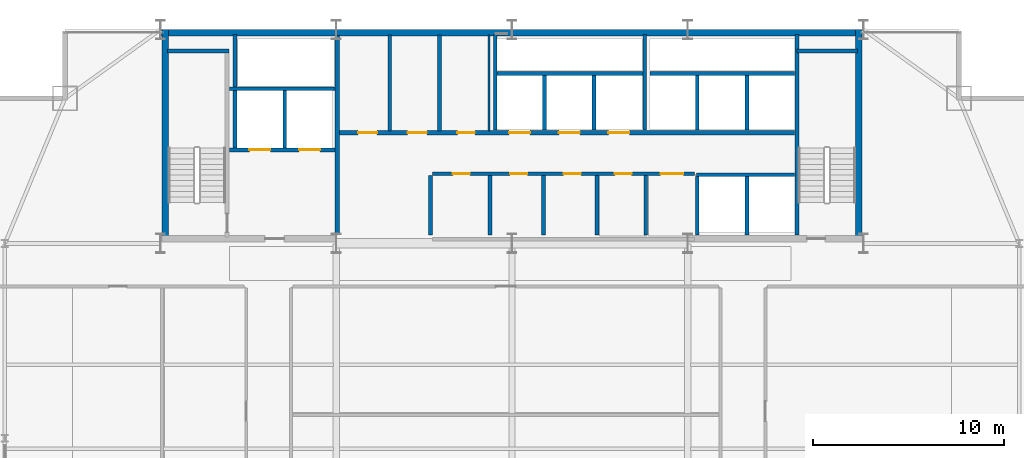
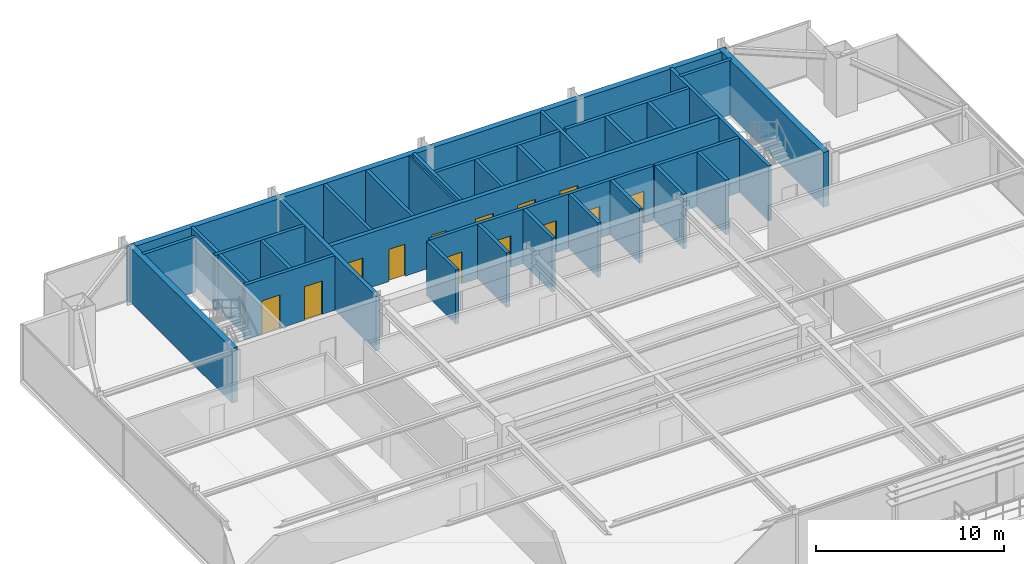
# One storey, part 28 of 31: 32 walls, 13 doors, 13 openings.
"""IFC4 building model written with IfcOpenShell, lengths in metres."""

from ifc_helpers import new_model, si_unit, direction, frame, frame_2d, origin, place, context, subcontext, project, spatial, rectangle, extrude, source, transform, mapped, material, layer, layer_set, type_object, type_shapes, element, fill, save


model = new_model("IFC4")

# Units and contexts
model_context = context("Model", 3, precision=1e-05, world=origin(), true_north=direction((0.0, 1.0)))
body_context = subcontext(model_context, "Body", "Model", "MODEL_VIEW")
ifc_project = project(units=[si_unit("LENGTHUNIT", "METRE"), si_unit("AREAUNIT", "SQUARE_METRE"), si_unit("VOLUMEUNIT", "CUBIC_METRE"), si_unit("PLANEANGLEUNIT", "RADIAN"), si_unit("MASSUNIT", "GRAM", prefix="KILO")], contexts=[model_context])

# Site, building, storey
site_placement = place(None, origin())
site = spatial("IfcSite", under=ifc_project, at=site_placement, CompositionType="ELEMENT")
building_placement = place(site_placement, origin())
building = spatial("IfcBuilding", under=site, at=building_placement, Name="Varnel Quay Broadcast Tower", CompositionType="ELEMENT")
storey_placement = place(building_placement, frame((0.0, 0.0, 153.39990234375)))
storey = spatial("IfcBuildingStorey", under=building, at=storey_placement, Name="L37", CompositionType="ELEMENT", Elevation=153.39990234375)

# Wall
ifc_material_1 = material(Name="Concrete CSA A23.3 C50/60", Category="concrete")
ifc_layer_1 = layer(ifc_material_1, 0.199951171875, Name="Concrete CSA A23.3 C50/60")
ifc_layer_set_1 = layer_set([ifc_layer_1], Name="Concrete CSA A23.3 C50/60")
wall_type_1 = type_object("IfcWallType", Name="Wall_CoreShaftShear200", PredefinedType="SHEAR", material=ifc_layer_set_1)
wall_1_placement = place(storey_placement, frame((15.949951171875, 45.679931640625, 0.0), z_axis=(0.0, 0.0, 1.0), x_axis=(1.0, 0.0, 0.0)))
element("IfcWall", 1, at=wall_1_placement, inside=storey, type_object=wall_type_1, Name="L37 Stair 1 North Structural Wall", PredefinedType="SHEAR", context=body_context, shape_type="SweptSolid", body=[
    extrude(rectangle(XDim=3.22998046875, YDim=0.199951171875, at=frame_2d((1.614990234375, 0.0))), origin(), (0.0, 0.0, 1.0), 3.550048828125),
])

# Wall, openings, doors
wall_2_placement = place(storey_placement, frame((19.199951171875, 40.5, 0.0), z_axis=(0.0, 0.0, 1.0), x_axis=(1.0, 0.0, 0.0)))
wall_2 = element("IfcWall", 2, at=wall_2_placement, inside=storey, type_object=wall_type_1, Name="L37 Firefighter Lift Shaft Front Wall", PredefinedType="SHEAR", context=body_context, shape_type="SweptSolid", body=[
    extrude(rectangle(XDim=5.52001953125, YDim=0.199951171875, at=frame_2d((2.760009765625, 0.0))), origin(), (0.0, 0.0, 1.0), 3.550048828125),
])
opening_1_placement = place(wall_2_placement, frame((1.050048828125, 0.0, 0.0)))
opening_1 = element("IfcOpeningElement", 3, at=opening_1_placement, cuts=wall_2, Name="Opening LD-L37-FE1", PredefinedType="OPENING", context=body_context, shape_type="SweptSolid", body=[
    extrude(rectangle(XDim=1.10009765625, YDim=2.179931640625, at=frame_2d((0.550048828125, 1.08984375))), frame((0.0, 0.10986328125, 0.0), z_axis=(0.0, -1.0, 0.0), x_axis=(1.0, 0.0, 0.0)), (0.0, 0.0, 1.0), 0.219970703125),
])
opening_2_placement = place(wall_2_placement, frame((3.64990234375, 0.0, 0.0)))
opening_2 = element("IfcOpeningElement", 4, at=opening_2_placement, cuts=wall_2, Name="Opening LD-L37-FE2", PredefinedType="OPENING", context=body_context, shape_type="SweptSolid", body=[
    extrude(rectangle(XDim=1.10009765625, YDim=2.179931640625, at=frame_2d((0.550048828125, 1.08984375))), frame((0.0, 0.10986328125, 0.0), z_axis=(0.0, -1.0, 0.0), x_axis=(1.0, 0.0, 0.0)), (0.0, 0.0, 1.0), 0.219970703125),
])
ifc_material_2 = material(Name="Brushed Bronze-Stainless Lift Car & Sliding Doors", Category="steel")
door_type_1 = type_object("IfcDoorType", Name="Door_LiftLanding1100", OperationType="SLIDING_TO_LEFT", PredefinedType="DOOR", material=ifc_material_2)
shared_shape_1 = source(origin(), body_context, "Body", "SweptSolid", [
    extrude(rectangle(XDim=1.10009765625, YDim=2.179931640625, at=frame_2d((0.550048828125, 1.08984375))), frame((0.0, 0.02490234375, 0.0), z_axis=(0.0, -1.0, 0.0), x_axis=(1.0, 0.0, 0.0)), (0.0, 0.0, 1.0), 0.050048828125),
])
type_shapes(door_type_1, [shared_shape_1])
door_1_placement = place(opening_1_placement, frame((1.10009765625, 0.0, 0.0), z_axis=(0.0, 0.0, 1.0), x_axis=(-1.0, 0.0, 0.0)))
door_1 = element("IfcDoor", 5, at=door_1_placement, inside=storey, type_object=door_type_1, Name="L37 Firefighter Lift FE-01 Landing Door", OperationType="SLIDING_TO_LEFT", OverallHeight=2.179931640625, OverallWidth=1.10009765625, PredefinedType="DOOR", context=body_context, shape_type="MappedRepresentation", body=[
    mapped(shared_shape_1, transform((0.0, 0.0, 0.0), x_axis=(1.0, 0.0, 0.0), y_axis=(0.0, 1.0, 0.0), z_axis=(0.0, 0.0, 1.0), scale=1.0)),
])
fill(opening_1, door_1)
door_2_placement = place(opening_2_placement, frame((1.10009765625, 0.0, 0.0), z_axis=(0.0, 0.0, 1.0), x_axis=(-1.0, 0.0, 0.0)))
door_2 = element("IfcDoor", 6, at=door_2_placement, inside=storey, type_object=door_type_1, Name="L37 Firefighter Lift FE-02 Landing Door", OperationType="SLIDING_TO_RIGHT", OverallHeight=2.179931640625, OverallWidth=1.10009765625, PredefinedType="DOOR", context=body_context, shape_type="MappedRepresentation", body=[
    mapped(shared_shape_1, transform((0.0, 0.0, 0.0), x_axis=(1.0, 0.0, 0.0), y_axis=(0.0, 1.0, 0.0), z_axis=(0.0, 0.0, 1.0), scale=1.0)),
])
fill(opening_2, door_2)

# Walls
wall_3_placement = place(storey_placement, frame((19.199951171875, 43.699951171875, 0.0), z_axis=(0.0, 0.0, 1.0), x_axis=(1.0, 0.0, 0.0)))
element("IfcWall", 7, at=wall_3_placement, inside=storey, type_object=wall_type_1, Name="L37 Firefighter Lift Shaft Rear Wall", PredefinedType="SHEAR", context=body_context, shape_type="SweptSolid", body=[
    extrude(rectangle(XDim=5.52001953125, YDim=0.199951171875, at=frame_2d((2.760009765625, 0.0))), origin(), (0.0, 0.0, 1.0), 3.550048828125),
])
wall_4_placement = place(storey_placement, frame((22.10009765625, 40.60009765625, 0.0), z_axis=(0.0, 0.0, 1.0), x_axis=(0.0, 1.0, 0.0)))
element("IfcWall", 8, at=wall_4_placement, inside=storey, type_object=wall_type_1, Name="L37 Firefighter Lift Shaft Divider", PredefinedType="SHEAR", context=body_context, shape_type="SweptSolid", body=[
    extrude(rectangle(XDim=3.0, YDim=0.199951171875, at=frame_2d((1.5, 0.0))), origin(), (0.0, 0.0, 1.0), 3.550048828125),
])
wall_5_placement = place(storey_placement, frame((19.5, 40.60009765625, 0.0), z_axis=(0.0, 0.0, 1.0), x_axis=(0.0, 1.0, 0.0)))
element("IfcWall", 9, at=wall_5_placement, inside=storey, type_object=wall_type_1, Name="L37 Firefighter Lift Shaft West Wall", PredefinedType="SHEAR", context=body_context, shape_type="SweptSolid", body=[
    extrude(rectangle(XDim=5.949951171875, YDim=0.199951171875, at=frame_2d((2.97509765625, 0.0))), origin(), (0.0, 0.0, 1.0), 3.550048828125),
])
wall_6_placement = place(storey_placement, frame((48.919921875, 36.050048828125, 0.0), z_axis=(0.0, 0.0, 1.0), x_axis=(0.0, 1.0, 0.0)))
element("IfcWall", 10, at=wall_6_placement, inside=storey, type_object=wall_type_1, Name="L37 Stair 2 West Structural Wall", PredefinedType="SHEAR", context=body_context, shape_type="SweptSolid", body=[
    extrude(rectangle(XDim=10.5, YDim=0.199951171875, at=frame_2d((5.25, 0.0))), origin(), (0.0, 0.0, 1.0), 3.550048828125),
])
wall_7_placement = place(storey_placement, frame((48.919921875, 45.679931640625, 0.0), z_axis=(0.0, 0.0, 1.0), x_axis=(1.0, 0.0, 0.0)))
element("IfcWall", 11, at=wall_7_placement, inside=storey, type_object=wall_type_1, Name="L37 Stair 2 North Structural Wall", PredefinedType="SHEAR", context=body_context, shape_type="SweptSolid", body=[
    extrude(rectangle(XDim=3.18017578125, YDim=0.199951171875, at=frame_2d((1.590087890625, 0.0))), origin(), (0.0, 0.0, 1.0), 3.550048828125),
])
wall_8_placement = place(storey_placement, frame((33.219970703125, 44.5, 0.0), z_axis=(0.0, 0.0, 1.0), x_axis=(1.0, 0.0, 0.0)))
element("IfcWall", 12, at=wall_8_placement, inside=storey, type_object=wall_type_1, Name="L37 Mid-Rise Lift Shaft Rear Wall", PredefinedType="SHEAR", context=body_context, shape_type="SweptSolid", body=[
    extrude(rectangle(XDim=7.630126953125, YDim=0.199951171875, at=frame_2d((3.81494140625, 0.0))), origin(), (0.0, 0.0, 1.0), 3.550048828125),
])
wall_9_placement = place(storey_placement, frame((33.1201171875, 41.530029296875, 0.0), z_axis=(0.0, 0.0, 1.0), x_axis=(0.0, 1.0, 0.0)))
element("IfcWall", 13, at=wall_9_placement, inside=storey, type_object=wall_type_1, Name="L37 Mid-Rise Lift Shaft Divider 1", PredefinedType="SHEAR", context=body_context, shape_type="SweptSolid", body=[
    extrude(rectangle(XDim=5.02001953125, YDim=0.199951171875, at=frame_2d((2.510009765625, 0.0))), origin(), (0.0, 0.0, 1.0), 3.550048828125),
])
for number, where, z_axis, x_axis, name in (
    (14, (35.699951171875, 41.530029296875, 0.0), (0.0, 0.0, 1.0), (0.0, 1.0, 0.0), "L37 Mid-Rise Lift Shaft Divider 2"),
    (15, (38.300048828125, 41.530029296875, 0.0), (0.0, 0.0, 1.0), (0.0, 1.0, 0.0), "L37 Mid-Rise Lift Shaft Divider 3"),
):
    element("IfcWall", number, at=place(storey_placement, frame(where, z_axis=z_axis, x_axis=x_axis)), inside=storey, type_object=wall_type_1, Name=name, PredefinedType="SHEAR", context=body_context, shape_type="SweptSolid", body=[
        extrude(rectangle(XDim=2.869873046875, YDim=0.199951171875, at=frame_2d((1.43505859375, 0.0))), origin(), (0.0, 0.0, 1.0), 3.550048828125),
    ])
wall_10_placement = place(storey_placement, frame((40.949951171875, 41.530029296875, 0.0), z_axis=(0.0, 0.0, 1.0), x_axis=(0.0, 1.0, 0.0)))
element("IfcWall", 16, at=wall_10_placement, inside=storey, type_object=wall_type_1, Name="L37 Mid-Rise Lift Shaft Divider 4", PredefinedType="SHEAR", context=body_context, shape_type="SweptSolid", body=[
    extrude(rectangle(XDim=5.02001953125, YDim=0.199951171875, at=frame_2d((2.510009765625, 0.0))), origin(), (0.0, 0.0, 1.0), 3.550048828125),
])
wall_11_placement = place(storey_placement, frame((41.219970703125, 44.5, 0.0), z_axis=(0.0, 0.0, 1.0), x_axis=(1.0, 0.0, 0.0)))
element("IfcWall", 17, at=wall_11_placement, inside=storey, type_object=wall_type_1, Name="L37 High-Rise Lift Shaft Rear Wall", PredefinedType="SHEAR", context=body_context, shape_type="SweptSolid", body=[
    extrude(rectangle(XDim=7.580078125, YDim=0.199951171875, at=frame_2d((3.7900390625, 0.0))), origin(), (0.0, 0.0, 1.0), 3.550048828125),
])
for number, where, z_axis, x_axis, name in (
    (18, (43.699951171875, 41.530029296875, 0.0), (0.0, 0.0, 1.0), (0.0, 1.0, 0.0), "L37 High-Rise Lift Shaft Divider 2"),
    (19, (46.300048828125, 41.530029296875, 0.0), (0.0, 0.0, 1.0), (0.0, 1.0, 0.0), "L37 High-Rise Lift Shaft Divider 3"),
):
    element("IfcWall", number, at=place(storey_placement, frame(where, z_axis=z_axis, x_axis=x_axis)), inside=storey, type_object=wall_type_1, Name=name, PredefinedType="SHEAR", context=body_context, shape_type="SweptSolid", body=[
        extrude(rectangle(XDim=2.869873046875, YDim=0.199951171875, at=frame_2d((1.43505859375, 0.0))), origin(), (0.0, 0.0, 1.0), 3.550048828125),
    ])
for number, where, z_axis, x_axis, name in (
    (20, (43.699951171875, 36.050048828125, 0.0), (0.0, 0.0, 1.0), (0.0, 1.0, 0.0), "L37 Express Lift Shaft West Wall"),
    (21, (46.300048828125, 36.050048828125, 0.0), (0.0, 0.0, 1.0), (0.0, 1.0, 0.0), "L37 Express Lift Shaft Divider"),
):
    element("IfcWall", number, at=place(storey_placement, frame(where, z_axis=z_axis, x_axis=x_axis)), inside=storey, type_object=wall_type_1, Name=name, PredefinedType="SHEAR", context=body_context, shape_type="SweptSolid", body=[
        extrude(rectangle(XDim=3.050048828125, YDim=0.199951171875, at=frame_2d((1.52490234375, 0.0))), origin(), (0.0, 0.0, 1.0), 3.550048828125),
    ])
wall_12_placement = place(storey_placement, frame((43.64990234375, 39.199951171875, 0.0), z_axis=(0.0, 0.0, 1.0), x_axis=(1.0, 0.0, 0.0)))
element("IfcWall", 22, at=wall_12_placement, inside=storey, type_object=wall_type_1, Name="L37 Express Lift Shaft North Front Wall", PredefinedType="SHEAR", context=body_context, shape_type="SweptSolid", body=[
    extrude(rectangle(XDim=5.150146484375, YDim=0.199951171875, at=frame_2d((2.5751953125, 0.0))), origin(), (0.0, 0.0, 1.0), 3.550048828125),
])
ifc_layer_2 = layer(ifc_material_1, 0.25, Name="Concrete CSA A23.3 C50/60")
ifc_layer_set_2 = layer_set([ifc_layer_2], Name="Concrete CSA A23.3 C50/60")
wall_type_2 = type_object("IfcWallType", Name="Wall_CoreShaftShear250", PredefinedType="SHEAR", material=ifc_layer_set_2)
wall_13_placement = place(storey_placement, frame((24.85009765625, 36.050048828125, 0.0), z_axis=(0.0, 0.0, 1.0), x_axis=(0.0, 1.0, 0.0)))
element("IfcWall", 23, at=wall_13_placement, inside=storey, type_object=wall_type_2, Name="L37 Firefighting Lobby East Structural Wall", PredefinedType="SHEAR", context=body_context, shape_type="SweptSolid", body=[
    extrude(rectangle(XDim=10.449951171875, YDim=0.25, at=frame_2d((5.22509765625, 0.0))), origin(), (0.0, 0.0, 1.0), 3.550048828125),
])

# Wall, openings, doors
wall_14_placement = place(storey_placement, frame((24.97998046875, 41.39990234375, 0.0), z_axis=(0.0, 0.0, 1.0), x_axis=(1.0, 0.0, 0.0)))
wall_14 = element("IfcWall", 24, at=wall_14_placement, inside=storey, type_object=wall_type_2, Name="L37 North Lift Bank & Reclaimed Suite Wall", PredefinedType="SHEAR", context=body_context, shape_type="SweptSolid", body=[
    extrude(rectangle(XDim=23.820068359375, YDim=0.25, at=frame_2d((11.91015625, 0.0))), origin(), (0.0, 0.0, 1.0), 3.550048828125),
])
opening_3_placement = place(wall_14_placement, frame((8.8701171875, 0.0, 0.0)))
opening_3 = element("IfcOpeningElement", 25, at=opening_3_placement, cuts=wall_14, Name="Opening LD-L37-PM-01", PredefinedType="OPENING", context=body_context, shape_type="SweptSolid", body=[
    extrude(rectangle(XDim=1.10009765625, YDim=2.179931640625, at=frame_2d((0.550048828125, 1.08984375))), frame((0.0, 0.135009765625, 0.0), z_axis=(0.0, -1.0, 0.0), x_axis=(1.0, 0.0, 0.0)), (0.0, 0.0, 1.0), 0.27001953125),
])
opening_4_placement = place(wall_14_placement, frame((11.469970703125, 0.0, 0.0)))
opening_4 = element("IfcOpeningElement", 26, at=opening_4_placement, cuts=wall_14, Name="Opening LD-L37-PM-02", PredefinedType="OPENING", context=body_context, shape_type="SweptSolid", body=[
    extrude(rectangle(XDim=1.10009765625, YDim=2.179931640625, at=frame_2d((0.550048828125, 1.08984375))), frame((0.0, 0.135009765625, 0.0), z_axis=(0.0, -1.0, 0.0), x_axis=(1.0, 0.0, 0.0)), (0.0, 0.0, 1.0), 0.27001953125),
])
opening_5_placement = place(wall_14_placement, frame((14.070068359375, 0.0, 0.0)))
opening_5 = element("IfcOpeningElement", 27, at=opening_5_placement, cuts=wall_14, Name="Opening LD-L37-PM-03", PredefinedType="OPENING", context=body_context, shape_type="SweptSolid", body=[
    extrude(rectangle(XDim=1.10009765625, YDim=2.179931640625, at=frame_2d((0.550048828125, 1.08984375))), frame((0.0, 0.135009765625, 0.0), z_axis=(0.0, -1.0, 0.0), x_axis=(1.0, 0.0, 0.0)), (0.0, 0.0, 1.0), 0.27001953125),
])
opening_6_placement = place(wall_14_placement, frame((0.9599609375, 0.0, 0.0)))
opening_6 = element("IfcOpeningElement", 28, at=opening_6_placement, cuts=wall_14, Name="Opening D-L37-RECA1", PredefinedType="OPENING", context=body_context, shape_type="SweptSolid", body=[
    extrude(rectangle(XDim=1.0, YDim=2.080078125, at=frame_2d((0.5, 1.0400390625))), frame((0.0, 0.135009765625, 0.0), z_axis=(0.0, -1.0, 0.0), x_axis=(1.0, 0.0, 0.0)), (0.0, 0.0, 1.0), 0.27001953125),
])
opening_7_placement = place(wall_14_placement, frame((3.56005859375, 0.0, 0.0)))
opening_7 = element("IfcOpeningElement", 29, at=opening_7_placement, cuts=wall_14, Name="Opening D-L37-RECA2", PredefinedType="OPENING", context=body_context, shape_type="SweptSolid", body=[
    extrude(rectangle(XDim=1.0, YDim=2.080078125, at=frame_2d((0.5, 1.0400390625))), frame((0.0, 0.135009765625, 0.0), z_axis=(0.0, -1.0, 0.0), x_axis=(1.0, 0.0, 0.0)), (0.0, 0.0, 1.0), 0.27001953125),
])
opening_8_placement = place(wall_14_placement, frame((6.159912109375, 0.0, 0.0)))
opening_8 = element("IfcOpeningElement", 30, at=opening_8_placement, cuts=wall_14, Name="Opening D-L37-RECA3", PredefinedType="OPENING", context=body_context, shape_type="SweptSolid", body=[
    extrude(rectangle(XDim=0.919921875, YDim=2.080078125, at=frame_2d((0.4599609375, 1.0400390625))), frame((0.0, 0.135009765625, 0.0), z_axis=(0.0, -1.0, 0.0), x_axis=(1.0, 0.0, 0.0)), (0.0, 0.0, 1.0), 0.27001953125),
])
door_3_placement = place(opening_3_placement, frame((1.10009765625, 0.0, 0.0), z_axis=(0.0, 0.0, 1.0), x_axis=(-1.0, 0.0, 0.0)))
door_3 = element("IfcDoor", 31, at=door_3_placement, inside=storey, type_object=door_type_1, Name="L37 Lift PM-01 Landing Door", OperationType="SLIDING_TO_LEFT", OverallHeight=2.179931640625, OverallWidth=1.10009765625, PredefinedType="DOOR", context=body_context, shape_type="MappedRepresentation", body=[
    mapped(shared_shape_1, transform((0.0, 0.0, 0.0), x_axis=(1.0, 0.0, 0.0), y_axis=(0.0, 1.0, 0.0), z_axis=(0.0, 0.0, 1.0), scale=1.0)),
])
fill(opening_3, door_3)
door_4_placement = place(opening_4_placement, frame((1.10009765625, 0.0, 0.0), z_axis=(0.0, 0.0, 1.0), x_axis=(-1.0, 0.0, 0.0)))
door_4 = element("IfcDoor", 32, at=door_4_placement, inside=storey, type_object=door_type_1, Name="L37 Lift PM-02 Landing Door", OperationType="SLIDING_TO_LEFT", OverallHeight=2.179931640625, OverallWidth=1.10009765625, PredefinedType="DOOR", context=body_context, shape_type="MappedRepresentation", body=[
    mapped(shared_shape_1, transform((0.0, 0.0, 0.0), x_axis=(1.0, 0.0, 0.0), y_axis=(0.0, 1.0, 0.0), z_axis=(0.0, 0.0, 1.0), scale=1.0)),
])
fill(opening_4, door_4)
door_5_placement = place(opening_5_placement, frame((1.10009765625, 0.0, 0.0), z_axis=(0.0, 0.0, 1.0), x_axis=(-1.0, 0.0, 0.0)))
door_5 = element("IfcDoor", 33, at=door_5_placement, inside=storey, type_object=door_type_1, Name="L37 Lift PM-03 Landing Door", OperationType="SLIDING_TO_LEFT", OverallHeight=2.179931640625, OverallWidth=1.10009765625, PredefinedType="DOOR", context=body_context, shape_type="MappedRepresentation", body=[
    mapped(shared_shape_1, transform((0.0, 0.0, 0.0), x_axis=(1.0, 0.0, 0.0), y_axis=(0.0, 1.0, 0.0), z_axis=(0.0, 0.0, 1.0), scale=1.0)),
])
fill(opening_5, door_5)
ifc_material_3 = material(Name="Insulated Fire-Rated Hollow Steel Door", Category="steel")
door_type_2 = type_object("IfcDoorType", Name="Door_FireLobby1000", OperationType="NOTDEFINED", PredefinedType="DOOR", material=ifc_material_3)
shared_shape_2 = source(origin(), body_context, "Body", "SweptSolid", [
    extrude(rectangle(XDim=1.0, YDim=2.080078125, at=frame_2d((0.5, 1.0400390625))), frame((0.0, 0.02490234375, 0.0), z_axis=(0.0, -1.0, 0.0), x_axis=(1.0, 0.0, 0.0)), (0.0, 0.0, 1.0), 0.050048828125),
])
type_shapes(door_type_2, [shared_shape_2])
door_6_placement = place(opening_6_placement, origin())
door_6 = element("IfcDoor", 34, at=door_6_placement, inside=storey, type_object=door_type_2, Name="L37 Ingest Rack Bay A Door", OperationType="SINGLE_SWING_LEFT", OverallHeight=2.080078125, OverallWidth=1.0, PredefinedType="DOOR", context=body_context, shape_type="MappedRepresentation", body=[
    mapped(shared_shape_2, transform((0.0, 0.0, 0.0), x_axis=(1.0, 0.0, 0.0), y_axis=(0.0, 1.0, 0.0), z_axis=(0.0, 0.0, 1.0), scale=1.0)),
])
fill(opening_6, door_6)
door_7_placement = place(opening_7_placement, origin())
door_7 = element("IfcDoor", 35, at=door_7_placement, inside=storey, type_object=door_type_2, Name="L37 Fiber Patch Bay Door", OperationType="SINGLE_SWING_RIGHT", OverallHeight=2.080078125, OverallWidth=1.0, PredefinedType="DOOR", context=body_context, shape_type="MappedRepresentation", body=[
    mapped(shared_shape_2, transform((0.0, 0.0, 0.0), x_axis=(1.0, 0.0, 0.0), y_axis=(0.0, 1.0, 0.0), z_axis=(0.0, 0.0, 1.0), scale=1.0)),
])
fill(opening_7, door_7)
ifc_material_4 = material(Name="Solid-Core Fire-Rated Acoustic Oak Veneer Door", Category="wood")
door_type_3 = type_object("IfcDoorType", Name="Door_Office920", OperationType="NOTDEFINED", PredefinedType="DOOR", material=ifc_material_4)
shared_shape_3 = source(origin(), body_context, "Body", "SweptSolid", [
    extrude(rectangle(XDim=0.919921875, YDim=2.080078125, at=frame_2d((0.4599609375, 1.0400390625))), frame((0.0, 0.02490234375, 0.0), z_axis=(0.0, -1.0, 0.0), x_axis=(1.0, 0.0, 0.0)), (0.0, 0.0, 1.0), 0.050048828125),
])
type_shapes(door_type_3, [shared_shape_3])
door_8_placement = place(opening_8_placement, origin())
door_8 = element("IfcDoor", 36, at=door_8_placement, inside=storey, type_object=door_type_3, Name="L37 Telemetry Store Door", OperationType="SINGLE_SWING_LEFT", OverallHeight=2.080078125, OverallWidth=0.919921875, PredefinedType="DOOR", context=body_context, shape_type="MappedRepresentation", body=[
    mapped(shared_shape_3, transform((0.0, 0.0, 0.0), x_axis=(1.0, 0.0, 0.0), y_axis=(0.0, 1.0, 0.0), z_axis=(0.0, 0.0, 1.0), scale=1.0)),
])
fill(opening_8, door_8)

# Walls
ifc_layer_3 = layer(ifc_material_1, 0.35009765625, Name="Concrete CSA A23.3 C50/60")
ifc_layer_set_3 = layer_set([ifc_layer_3], Name="Concrete CSA A23.3 C50/60")
wall_type_3 = type_object("IfcWallType", Name="Wall_CoreShearExt350", PredefinedType="SHEAR", material=ifc_layer_set_3)
wall_15_placement = place(storey_placement, frame((15.60009765625, 46.625, 0.0), z_axis=(0.0, 0.0, 1.0), x_axis=(1.0, 0.0, 0.0)))
element("IfcWall", 37, at=wall_15_placement, inside=storey, type_object=wall_type_3, Name="L37 North Core Shear Wall", PredefinedType="SHEAR", context=body_context, shape_type="SweptSolid", body=[
    extrude(rectangle(XDim=36.7998046875, YDim=0.35009765625, at=frame_2d((18.39990234375, 0.0))), origin(), (0.0, 0.0, 1.0), 3.550048828125),
])
ifc_layer_4 = layer(ifc_material_1, 0.35009765625, Name="Concrete CSA A23.3 C50/60")
ifc_layer_set_4 = layer_set([ifc_layer_4], Name="Concrete CSA A23.3 C50/60")
wall_type_4 = type_object("IfcWallType", Name="Wall_CoreShearInt350", PredefinedType="SHEAR", material=ifc_layer_set_4)
for number, where, z_axis, x_axis, name in (
    (38, (15.844970703125, 35.669921875, 0.0), (0.0, 0.0, 1.0), (0.0, 1.0, 0.0), "L37 West Core Shear Wall"),
    (39, (52.155029296875, 35.669921875, 0.0), (0.0, 0.0, 1.0), (0.0, 1.0, 0.0), "L37 East Core Shear Wall"),
):
    element("IfcWall", number, at=place(storey_placement, frame(where, z_axis=z_axis, x_axis=x_axis)), inside=storey, type_object=wall_type_4, Name=name, PredefinedType="SHEAR", context=body_context, shape_type="SweptSolid", body=[
        extrude(rectangle(XDim=11.130126953125, YDim=0.35009765625, at=frame_2d((5.56494140625, 0.0))), origin(), (0.0, 0.0, 1.0), 3.550048828125),
    ])

# Wall, openings, doors
ifc_material_5 = material(Name="Concrete Blockwork Fire Enclosure C40/50", Category="masonry")
ifc_layer_5 = layer(ifc_material_5, 0.199951171875, Name="Concrete Blockwork Fire Enclosure C40/50")
ifc_layer_set_5 = layer_set([ifc_layer_5], Name="Concrete Blockwork Fire Enclosure C40/50")
wall_type_5 = type_object("IfcWallType", Name="Wall_FireShaft200", PredefinedType="SOLIDWALL", material=ifc_layer_set_5)
wall_16_placement = place(storey_placement, frame((29.85009765625, 39.25, 0.0), z_axis=(0.0, 0.0, 1.0), x_axis=(1.0, 0.0, 0.0)))
wall_16 = element("IfcWall", 40, at=wall_16_placement, inside=storey, type_object=wall_type_5, Name="L37 Accessible Washroom Partition 3", PredefinedType="SOLIDWALL", context=body_context, shape_type="SweptSolid", body=[
    extrude(rectangle(XDim=13.699951171875, YDim=0.199951171875, at=frame_2d((6.85009765625, 0.0))), origin(), (0.0, 0.0, 1.0), 3.530029296875),
])
opening_9_placement = place(wall_16_placement, frame((1.050048828125, 0.0, 0.0)))
opening_9 = element("IfcOpeningElement", 41, at=opening_9_placement, cuts=wall_16, Name="Opening D-L37-01", PredefinedType="OPENING", context=body_context, shape_type="SweptSolid", body=[
    extrude(rectangle(XDim=0.89990234375, YDim=2.06005859375, at=frame_2d((0.449951171875, 1.030029296875))), frame((0.0, 0.10986328125, 0.0), z_axis=(0.0, -1.0, 0.0), x_axis=(1.0, 0.0, 0.0)), (0.0, 0.0, 1.0), 0.219970703125),
])
opening_10_placement = place(wall_16_placement, frame((4.050048828125, 0.0, 0.0)))
opening_10 = element("IfcOpeningElement", 42, at=opening_10_placement, cuts=wall_16, Name="Opening D-L37-02", PredefinedType="OPENING", context=body_context, shape_type="SweptSolid", body=[
    extrude(rectangle(XDim=0.89990234375, YDim=2.06005859375, at=frame_2d((0.449951171875, 1.030029296875))), frame((0.0, 0.10986328125, 0.0), z_axis=(0.0, -1.0, 0.0), x_axis=(1.0, 0.0, 0.0)), (0.0, 0.0, 1.0), 0.219970703125),
])
opening_11_placement = place(wall_16_placement, frame((6.85009765625, 0.0, 0.0)))
opening_11 = element("IfcOpeningElement", 43, at=opening_11_placement, cuts=wall_16, Name="Opening D-L37-03", PredefinedType="OPENING", context=body_context, shape_type="SweptSolid", body=[
    extrude(rectangle(XDim=0.89990234375, YDim=2.06005859375, at=frame_2d((0.449951171875, 1.030029296875))), frame((0.0, 0.10986328125, 0.0), z_axis=(0.0, -1.0, 0.0), x_axis=(1.0, 0.0, 0.0)), (0.0, 0.0, 1.0), 0.219970703125),
])
opening_12_placement = place(wall_16_placement, frame((9.534912109375, 0.0, 0.0)))
opening_12 = element("IfcOpeningElement", 44, at=opening_12_placement, cuts=wall_16, Name="Opening D-L37-04", PredefinedType="OPENING", context=body_context, shape_type="SweptSolid", body=[
    extrude(rectangle(XDim=0.8798828125, YDim=2.06005859375, at=frame_2d((0.43994140625, 1.030029296875))), frame((0.0, 0.10986328125, 0.0), z_axis=(0.0, -1.0, 0.0), x_axis=(1.0, 0.0, 0.0)), (0.0, 0.0, 1.0), 0.219970703125),
])
opening_13_placement = place(wall_16_placement, frame((11.925048828125, 0.0, 0.0)))
opening_13 = element("IfcOpeningElement", 45, at=opening_13_placement, cuts=wall_16, Name="Opening D-L37-05", PredefinedType="OPENING", context=body_context, shape_type="SweptSolid", body=[
    extrude(rectangle(XDim=1.199951171875, YDim=2.10009765625, at=frame_2d((0.60009765625, 1.050048828125))), frame((0.0, 0.10986328125, 0.0), z_axis=(0.0, -1.0, 0.0), x_axis=(1.0, 0.0, 0.0)), (0.0, 0.0, 1.0), 0.219970703125),
])
door_type_4 = type_object("IfcDoorType", Name="Door_Washroom900", OperationType="NOTDEFINED", PredefinedType="DOOR", material=ifc_material_4)
shared_shape_4 = source(origin(), body_context, "Body", "SweptSolid", [
    extrude(rectangle(XDim=0.89990234375, YDim=2.06005859375, at=frame_2d((0.449951171875, 1.030029296875))), frame((0.0, 0.02490234375, 0.0), z_axis=(0.0, -1.0, 0.0), x_axis=(1.0, 0.0, 0.0)), (0.0, 0.0, 1.0), 0.050048828125),
])
type_shapes(door_type_4, [shared_shape_4])
door_9_placement = place(opening_9_placement, frame((0.89990234375, 0.0, 0.0), z_axis=(0.0, 0.0, 1.0), x_axis=(-1.0, 0.0, 0.0)))
door_9 = element("IfcDoor", 46, at=door_9_placement, inside=storey, type_object=door_type_4, Name="L37 Accessible Washroom Door D-L37-01", OperationType="SINGLE_SWING_RIGHT", OverallHeight=2.06005859375, OverallWidth=0.89990234375, PredefinedType="DOOR", context=body_context, shape_type="MappedRepresentation", body=[
    mapped(shared_shape_4, transform((0.0, 0.0, 0.0), x_axis=(1.0, 0.0, 0.0), y_axis=(0.0, 1.0, 0.0), z_axis=(0.0, 0.0, 1.0), scale=1.0)),
])
fill(opening_9, door_9)
door_10_placement = place(opening_10_placement, frame((0.89990234375, 0.0, 0.0), z_axis=(0.0, 0.0, 1.0), x_axis=(-1.0, 0.0, 0.0)))
door_10 = element("IfcDoor", 47, at=door_10_placement, inside=storey, type_object=door_type_4, Name="L37 West Gender-Neutral Washroom Door D-L37-02", OperationType="SINGLE_SWING_LEFT", OverallHeight=2.06005859375, OverallWidth=0.89990234375, PredefinedType="DOOR", context=body_context, shape_type="MappedRepresentation", body=[
    mapped(shared_shape_4, transform((0.0, 0.0, 0.0), x_axis=(1.0, 0.0, 0.0), y_axis=(0.0, 1.0, 0.0), z_axis=(0.0, 0.0, 1.0), scale=1.0)),
])
fill(opening_10, door_10)
door_11_placement = place(opening_11_placement, frame((0.89990234375, 0.0, 0.0), z_axis=(0.0, 0.0, 1.0), x_axis=(-1.0, 0.0, 0.0)))
door_11 = element("IfcDoor", 48, at=door_11_placement, inside=storey, type_object=door_type_4, Name="L37 East Staff Washroom Door D-L37-03", OperationType="SINGLE_SWING_RIGHT", OverallHeight=2.06005859375, OverallWidth=0.89990234375, PredefinedType="DOOR", context=body_context, shape_type="MappedRepresentation", body=[
    mapped(shared_shape_4, transform((0.0, 0.0, 0.0), x_axis=(1.0, 0.0, 0.0), y_axis=(0.0, 1.0, 0.0), z_axis=(0.0, 0.0, 1.0), scale=1.0)),
])
fill(opening_11, door_11)
door_type_5 = type_object("IfcDoorType", Name="Door_Plant1200", OperationType="NOTDEFINED", PredefinedType="DOOR", material=ifc_material_3)
shared_shape_5 = source(origin(), body_context, "Body", "SweptSolid", [
    extrude(rectangle(XDim=1.199951171875, YDim=2.10009765625, at=frame_2d((0.60009765625, 1.050048828125))), frame((0.0, 0.02490234375, 0.0), z_axis=(0.0, -1.0, 0.0), x_axis=(1.0, 0.0, 0.0)), (0.0, 0.0, 1.0), 0.050048828125),
])
type_shapes(door_type_5, [shared_shape_5])
door_12_placement = place(opening_13_placement, origin())
door_12 = element("IfcDoor", 49, at=door_12_placement, inside=storey, type_object=door_type_5, Name="L37 Telecom IDF Closet Door D-L37-05", OperationType="SINGLE_SWING_RIGHT", OverallHeight=2.10009765625, OverallWidth=1.199951171875, PredefinedType="DOOR", context=body_context, shape_type="MappedRepresentation", body=[
    mapped(shared_shape_5, transform((0.0, 0.0, 0.0), x_axis=(1.0, 0.0, 0.0), y_axis=(0.0, 1.0, 0.0), z_axis=(0.0, 0.0, 1.0), scale=1.0)),
])
fill(opening_13, door_12)
door_type_6 = type_object("IfcDoorType", Name="Door_Booth880", OperationType="NOTDEFINED", PredefinedType="DOOR", material=ifc_material_4)
shared_shape_6 = source(origin(), body_context, "Body", "SweptSolid", [
    extrude(rectangle(XDim=0.8798828125, YDim=2.06005859375, at=frame_2d((0.43994140625, 1.030029296875))), frame((0.0, 0.02490234375, 0.0), z_axis=(0.0, -1.0, 0.0), x_axis=(1.0, 0.0, 0.0)), (0.0, 0.0, 1.0), 0.050048828125),
])
type_shapes(door_type_6, [shared_shape_6])
door_13_placement = place(opening_12_placement, frame((0.8798828125, 0.0, 0.0), z_axis=(0.0, 0.0, 1.0), x_axis=(-1.0, 0.0, 0.0)))
door_13 = element("IfcDoor", 50, at=door_13_placement, inside=storey, type_object=door_type_6, Name="L37 Cleaners' & Linen Store Door D-L37-04", OperationType="SINGLE_SWING_LEFT", OverallHeight=2.06005859375, OverallWidth=0.8798828125, PredefinedType="DOOR", context=body_context, shape_type="MappedRepresentation", body=[
    mapped(shared_shape_6, transform((0.0, 0.0, 0.0), x_axis=(1.0, 0.0, 0.0), y_axis=(0.0, 1.0, 0.0), z_axis=(0.0, 0.0, 1.0), scale=1.0)),
])
fill(opening_12, door_13)

# Walls
wall_17_placement = place(storey_placement, frame((41.0, 36.050048828125, 0.0), z_axis=(0.0, 0.0, 1.0), x_axis=(0.0, 1.0, 0.0)))
element("IfcWall", 51, at=wall_17_placement, inside=storey, type_object=wall_type_5, Name="L37 Cleaners' & Linen Store Partition 7", PredefinedType="SOLIDWALL", context=body_context, shape_type="SweptSolid", body=[
    extrude(rectangle(XDim=3.099853515625, YDim=0.199951171875, at=frame_2d((1.5498046875, 0.0))), origin(), (0.0, 0.0, 1.0), 3.530029296875),
])
for number, where, z_axis, x_axis, name in (
    (52, (27.60009765625, 41.5, 0.0), (0.0, 0.0, 1.0), (0.0, 1.0, 0.0), "L37 Ingest Rack Bay A Partition 21"),
    (53, (30.199951171875, 41.5, 0.0), (0.0, 0.0, 1.0), (0.0, 1.0, 0.0), "L37 Fiber Patch Bay Partition 22"),
):
    element("IfcWall", number, at=place(storey_placement, frame(where, z_axis=z_axis, x_axis=x_axis)), inside=storey, type_object=wall_type_5, Name=name, PredefinedType="SOLIDWALL", context=body_context, shape_type="SweptSolid", body=[
        extrude(rectangle(XDim=5.02001953125, YDim=0.199951171875, at=frame_2d((2.510009765625, 0.0))), origin(), (0.0, 0.0, 1.0), 3.530029296875),
    ])
ifc_material_6 = material(Name="Steel-Stud Fire-Rated Acoustic Gypsum Partition Assembly", Category="steel")
ifc_layer_6 = layer(ifc_material_6, 0.10498046875, Name="Steel-Stud Fire-Rated Acoustic Gypsum Partition Assembly")
ifc_layer_set_6 = layer_set([ifc_layer_6], Name="Steel-Stud Fire-Rated Acoustic Gypsum Partition Assembly")
wall_type_6 = type_object("IfcWallType", Name="Wall_Partition105", PredefinedType="PARTITIONING", material=ifc_layer_set_6)
wall_18_placement = place(storey_placement, frame((32.800048828125, 41.5, 0.0), z_axis=(0.0, 0.0, 1.0), x_axis=(0.0, 1.0, 0.0)))
element("IfcWall", 54, at=wall_18_placement, inside=storey, type_object=wall_type_6, Name="L37 Telemetry Store Partition 23", PredefinedType="PARTITIONING", context=body_context, shape_type="SweptSolid", body=[
    extrude(rectangle(XDim=5.02001953125, YDim=0.10498046875, at=frame_2d((2.510009765625, 0.0))), origin(), (0.0, 0.0, 1.0), 3.530029296875),
])
ifc_material_7 = material(Name="Fire-Rated Moisture-Resistant Plumbing Chase Partition")
ifc_layer_7 = layer(ifc_material_7, 0.199951171875, Name="Fire-Rated Moisture-Resistant Plumbing Chase Partition")
ifc_layer_set_7 = layer_set([ifc_layer_7], Name="Fire-Rated Moisture-Resistant Plumbing Chase Partition")
wall_type_7 = type_object("IfcWallType", Name="Wall_Plumbing200", PredefinedType="PLUMBINGWALL", material=ifc_layer_set_7)
for number, where, z_axis, x_axis, name in (
    (55, (32.85009765625, 36.050048828125, 0.0), (0.0, 0.0, 1.0), (0.0, 1.0, 0.0), "L37 Accessible Washroom Partition 2"),
    (56, (29.72509765625, 36.050048828125, 0.0), (0.0, 0.0, 1.0), (0.0, 1.0, 0.0), "L37 Accessible Washroom Partition 4"),
    (57, (35.64990234375, 36.050048828125, 0.0), (0.0, 0.0, 1.0), (0.0, 1.0, 0.0), "L37 West Gender-Neutral Washroom Partition 5"),
    (58, (38.449951171875, 36.050048828125, 0.0), (0.0, 0.0, 1.0), (0.0, 1.0, 0.0), "L37 East Staff Washroom Partition 6"),
):
    element("IfcWall", number, at=place(storey_placement, frame(where, z_axis=z_axis, x_axis=x_axis)), inside=storey, type_object=wall_type_7, Name=name, PredefinedType="PLUMBINGWALL", context=body_context, shape_type="SweptSolid", body=[
        extrude(rectangle(XDim=3.099853515625, YDim=0.199951171875, at=frame_2d((1.5498046875, 0.0))), origin(), (0.0, 0.0, 1.0), 3.530029296875),
    ])

save(model, "model.ifc")
